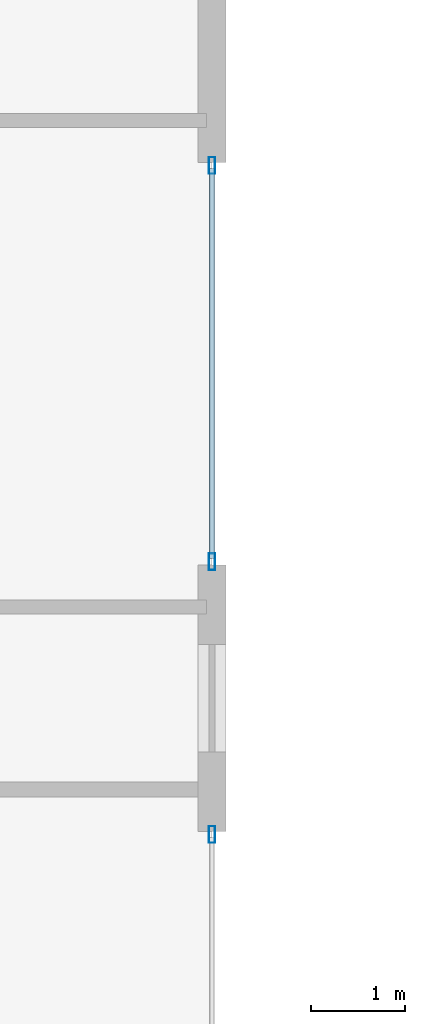
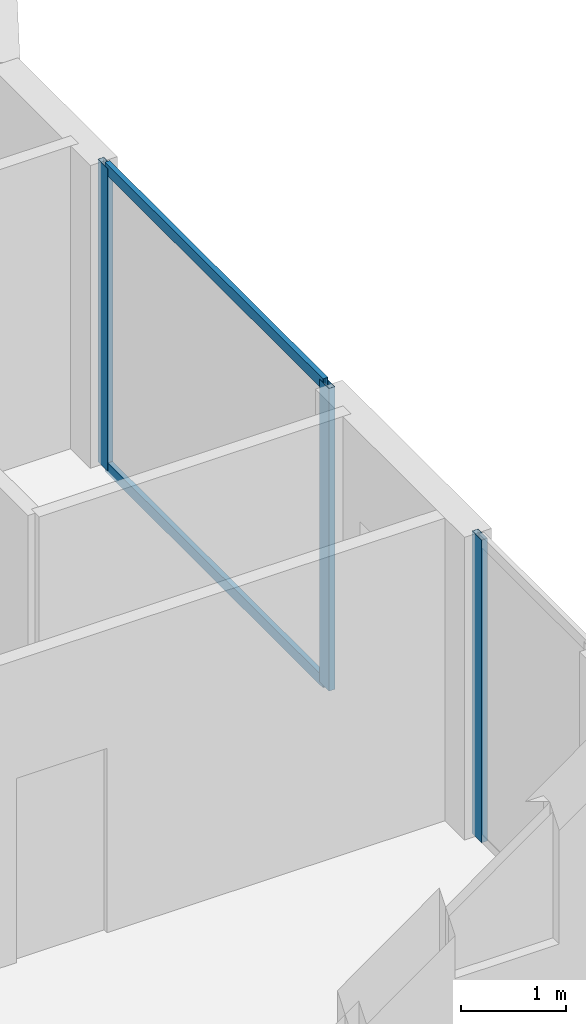
# One storey, part 13 of 33: 5 members, 2 elements without a shape of their own.
"""IFC4 building model written with IfcOpenShell, lengths in metres."""

import ifcopenshell
import ifcopenshell.guid

model = None  # the IFC model being written
_history = None  # IfcOwnerHistory: only IFC2X3 demands one
_inside = {}  # id of a spatial element -> (the spatial element, [elements in it])
_under = {}  # id of a project, library or spatial element -> (it, [spatial elements below it])
_declared = {}  # id of a project -> (the project, [libraries it declares])
_typed = {}  # id of a type object -> (the type object, [elements of that type])
_made_of = {}  # id of a material, layer set ... -> (it, [elements and type objects made of it])


def new_model(schema):
    """Start an empty IFC model of exactly this schema.

    Asked for "IFC4X3", IfcOpenShell would pick the latest addendum, in which some entities
    have other attributes; the version numbers below select the first issue.
    IFC2X3 requires an IfcOwnerHistory on every rooted entity: one is made here for all.
    """
    global model, _history
    if schema == "IFC4X3":
        model = ifcopenshell.file(schema_version=(4, 3, 0, 0))
    else:
        model = ifcopenshell.file(schema=schema)
    _inside.clear()
    _under.clear()
    _declared.clear()
    _typed.clear()
    _made_of.clear()
    _history = None
    if model.schema == "IFC2X3":
        org = make("IfcOrganization", Name="unknown")
        user = make(
            "IfcPersonAndOrganization",
            ThePerson=make("IfcPerson", FamilyName="unknown"),
            TheOrganization=org,
        )
        app = make(
            "IfcApplication",
            ApplicationDeveloper=org,
            Version="unknown",
            ApplicationFullName="unknown",
            ApplicationIdentifier="unknown",
        )
        _history = make(
            "IfcOwnerHistory",
            OwningUser=user,
            OwningApplication=app,
            ChangeAction="ADDED",
            CreationDate=0,
        )
    return model


def make(cls, **values):
    """One entity of the class cls with the attributes given. An attribute that is None is left unset."""
    return model.create_entity(
        cls, **{name: value for name, value in values.items() if value is not None}
    )


def rooted(cls, **values):
    """An entity with a GlobalId (a new one), such as an element, a storey or a relation."""
    return make(cls, GlobalId=ifcopenshell.guid.new(), OwnerHistory=_history, **values)


def si_unit(unit_type, name, prefix=None):
    """IfcSIUnit, for example si_unit("LENGTHUNIT", "METRE", prefix="MILLI")."""
    return make("IfcSIUnit", UnitType=unit_type, Prefix=prefix, Name=name)


def assignment(units):
    """IfcUnitAssignment: the units of a project."""
    return None if units is None else make("IfcUnitAssignment", Units=units)


def point(xyz):
    """IfcCartesianPoint."""
    return None if xyz is None else make("IfcCartesianPoint", Coordinates=xyz)


def direction(xyz):
    """IfcDirection."""
    return None if xyz is None else make("IfcDirection", DirectionRatios=xyz)


def frame(location, z_axis=None, x_axis=None):
    """IfcAxis2Placement3D, a coordinate frame: its origin and axes. An axis left out is left unset."""
    return make(
        "IfcAxis2Placement3D",
        Location=point(location),
        Axis=direction(z_axis),
        RefDirection=direction(x_axis),
    )


def frame_2d(location, x_axis=None):
    """IfcAxis2Placement2D, a coordinate frame in the plane: its origin and x axis."""
    return make(
        "IfcAxis2Placement2D", Location=point(location), RefDirection=direction(x_axis)
    )


def origin():
    """The frame at (0, 0, 0) with its axes left unset."""
    return frame((0.0, 0.0, 0.0))


def origin_2d():
    """The frame at (0, 0) in the plane with its x axis left unset."""
    return frame_2d((0.0, 0.0))


def place(relative_to, where):
    """IfcLocalPlacement: puts the frame where relative to a parent placement (None: the world)."""
    return make(
        "IfcLocalPlacement", PlacementRelTo=relative_to, RelativePlacement=where
    )


def context(
    kind, dimensions, precision=None, world=None, true_north=None, identifier=None
):
    """IfcGeometricRepresentationContext, for example the 3D "Model" context."""
    return make(
        "IfcGeometricRepresentationContext",
        ContextIdentifier=identifier,
        ContextType=kind,
        CoordinateSpaceDimension=dimensions,
        Precision=precision,
        WorldCoordinateSystem=world,
        TrueNorth=true_north,
    )


def subcontext(parent, identifier, kind, view, scale=None):
    """IfcGeometricRepresentationSubContext, for example "Body" below "Model"."""
    return make(
        "IfcGeometricRepresentationSubContext",
        ContextIdentifier=identifier,
        ContextType=kind,
        ParentContext=parent,
        TargetScale=scale,
        TargetView=view,
    )


def project(units=None, contexts=None):
    """IfcProject with its units and contexts."""
    return rooted(
        "IfcProject",
        Name="project",
        RepresentationContexts=contexts,
        UnitsInContext=assignment(units),
    )


def spatial(cls, under=None, at=None, **own):
    """A site, building, storey or space (cls), placed at a placement, below another one or the project."""
    s = rooted(cls, ObjectPlacement=at, **own)
    if under is not None:
        _under.setdefault(under.id(), (under, []))[1].append(s)
    return s


def profile(cls, at=None, kind="AREA", **sizes):
    """A parametric profile (cls). Its sizes go by their IFC names, for example OverallWidth=200.0."""
    return make(cls, ProfileType=kind, Position=at, **sizes)


def hollow_rectangle(**sizes):
    """IfcRectangleHollowProfileDef."""
    return profile("IfcRectangleHollowProfileDef", **sizes)


def extrude(swept, where, along, depth):
    """IfcExtrudedAreaSolid: the profile swept, set in the frame where, extruded along a direction by depth."""
    return make(
        "IfcExtrudedAreaSolid",
        SweptArea=swept,
        Position=where,
        ExtrudedDirection=direction(along),
        Depth=depth,
    )


def shape(context_of_items, identifier, shape_type, items):
    """IfcShapeRepresentation: the items that make up one representation, for example the "Body"."""
    return make(
        "IfcShapeRepresentation",
        ContextOfItems=context_of_items,
        RepresentationIdentifier=identifier,
        RepresentationType=shape_type,
        Items=items,
    )


def material(Name=None, Category=None):
    """IfcMaterial."""
    return make("IfcMaterial", Name=Name, Category=Category)


def layer(
    of_material, thickness, ventilated=None, Name=None, Category=None, Priority=None
):
    """IfcMaterialLayer: one layer of a wall or slab, of a material (None: an air gap)."""
    return make(
        "IfcMaterialLayer",
        Material=of_material,
        LayerThickness=thickness,
        IsVentilated=ventilated,
        Name=Name,
        Category=Category,
        Priority=Priority,
    )


def layer_set(layers, Name=None):
    """IfcMaterialLayerSet."""
    return make("IfcMaterialLayerSet", MaterialLayers=layers, LayerSetName=Name)


def material_profile(
    of_material, cross_section, Name=None, Category=None, Priority=None
):
    """IfcMaterialProfile: a cross section and its material."""
    return make(
        "IfcMaterialProfile",
        Name=Name,
        Material=of_material,
        Profile=cross_section,
        Priority=Priority,
        Category=Category,
    )


def profile_set(profiles, Name=None, composite=None):
    """IfcMaterialProfileSet."""
    return make(
        "IfcMaterialProfileSet",
        Name=Name,
        MaterialProfiles=profiles,
        CompositeProfile=composite,
    )


def made_of(thing, what):
    """Note that an element or type object is made of a material, layer set ...; save() writes the relation."""
    if what is not None:
        _made_of.setdefault(what.id(), (what, []))[1].append(thing)
    return thing


def type_object(cls, material=None, **own):
    """A type object (cls), such as IfcWallType, which elements share."""
    return made_of(rooted(cls, **own), material)


def element(
    cls,
    number,
    at=None,
    inside=None,
    cuts=None,
    type_object=None,
    material=None,
    context=None,
    identifier="Body",
    shape_type=None,
    held_by="IfcProductDefinitionShape",
    body=None,
    shapes=None,
    **own,
):
    """One element of the class cls, such as IfcWall. Its Tag is "e" and its number.

    at: its placement. inside: the storey or other place that contains it. cuts: it is an
    opening in that element (IfcRelVoidsElement). A single representation is given by context,
    identifier, shape_type and body (its items); several are given by shapes. held_by: the class
    of the entity that holds the representations. save() writes the other relations.
    """
    e = rooted(cls, Tag="e%d" % number, ObjectPlacement=at, **own)
    if body is not None:
        shapes = [shape(context, identifier, shape_type, body)]
    if shapes is not None:
        e.Representation = make(held_by, Representations=shapes)
    if inside is not None:
        _inside.setdefault(inside.id(), (inside, []))[1].append(e)
    if cuts is not None:
        rooted(
            "IfcRelVoidsElement", RelatingBuildingElement=cuts, RelatedOpeningElement=e
        )
    if type_object is not None:
        _typed.setdefault(type_object.id(), (type_object, []))[1].append(e)
    return made_of(e, material)


def aggregate(whole, parts):
    """IfcRelAggregates: a whole, such as a stair, and the parts it consists of."""
    return rooted("IfcRelAggregates", RelatingObject=whole, RelatedObjects=parts)


def save(model, path):
    """Write the relations noted so far, then the file.

    IfcRelAggregates (storeys below a building ...), IfcRelContainedInSpatialStructure (elements
    in a storey), IfcRelDefinesByType, IfcRelAssociatesMaterial and IfcRelDeclares: one each for
    every whole, place, type object, material and project.
    """
    for whole, parts in _under.values():
        aggregate(whole, parts)
    for where, things in _inside.values():
        rooted(
            "IfcRelContainedInSpatialStructure",
            RelatedElements=things,
            RelatingStructure=where,
        )
    for kind, things in _typed.values():
        rooted("IfcRelDefinesByType", RelatedObjects=things, RelatingType=kind)
    for what, things in _made_of.values():
        rooted("IfcRelAssociatesMaterial", RelatedObjects=things, RelatingMaterial=what)
    for by, libraries in _declared.values():
        rooted("IfcRelDeclares", RelatingContext=by, RelatedDefinitions=libraries)
    model.write(path)


model = new_model("IFC4")

# Units and contexts
model_context = context("Model", 3, precision=1e-05, world=origin(), true_north=direction((0.0, 1.0)))
body_context = subcontext(model_context, "Body", "Model", "MODEL_VIEW")
ifc_project = project(units=[si_unit("LENGTHUNIT", "METRE"), si_unit("AREAUNIT", "SQUARE_METRE"), si_unit("VOLUMEUNIT", "CUBIC_METRE"), si_unit("PLANEANGLEUNIT", "RADIAN"), si_unit("MASSUNIT", "GRAM", prefix="KILO")], contexts=[model_context])

# Site, building, storey
site_placement = place(None, origin())
site = spatial("IfcSite", under=ifc_project, at=site_placement, CompositionType="ELEMENT")
building_placement = place(site_placement, origin())
building = spatial("IfcBuilding", under=site, at=building_placement, Name="Zuhayl Quay Hotel", CompositionType="ELEMENT")
storey_placement = place(building_placement, frame((0.0, 0.0, 214.89990234375)))
storey = spatial("IfcBuildingStorey", under=building, at=storey_placement, Name="L54", CompositionType="ELEMENT", Elevation=214.89990234375)

# Curtain wall, members
ifc_material_1 = material(Name="Anodised Aluminium 6063-T6", Category="aluminium")
ifc_layer = layer(ifc_material_1, 0.175048828125, Name="Anodised Aluminium 6063-T6", Category="aluminium")
ifc_layer_set = layer_set([ifc_layer], Name="Anodised Aluminium 6063-T6")
curtain_wall_type = type_object("IfcCurtainWallType", Name="CW_SYS_Z3", PredefinedType="USERDEFINED", material=ifc_layer_set)
curtain_wall_1_placement = place(storey_placement, origin())
curtain_wall_1 = element("IfcCurtainWall", 1, at=curtain_wall_1_placement, inside=storey, type_object=curtain_wall_type, Name="L54 Curtain Wall ENV_L54_E14_CW1", ObjectType="UNITISED CURTAIN WALL", PredefinedType="USERDEFINED")
ifc_material_2 = material(Name="Black-anodised aluminium 6063-T6", Category="aluminium")
ifc_material_profile_1 = material_profile(ifc_material_2, hollow_rectangle(XDim=0.06494140625, YDim=0.179931640625, WallThickness=0.00341796875, at=origin_2d()), Name="ALU180X65")
ifc_profile_set_1 = profile_set([ifc_material_profile_1], Name="Black-anodised aluminium 6063-T6")
member_type_1 = type_object("IfcMemberType", Name="MB_CW_MUL_180", PredefinedType="MULLION", material=ifc_profile_set_1)
member_1_placement = place(storey_placement, frame((22.10009765625, 6.267578125, 0.0), z_axis=(0.0, 0.0, 1.0), x_axis=(1.0, 0.0, 0.0)))
member_1 = element("IfcMember", 2, at=member_1_placement, type_object=member_type_1, Name="CW-Z3 mullion 1", PredefinedType="MULLION", context=body_context, shape_type="SweptSolid", body=[
    extrude(hollow_rectangle(XDim=0.06494140625, YDim=0.179931640625, WallThickness=0.00341796875, at=origin_2d()), origin(), (0.0, 0.0, 1.0), 3.530029296875),
])
member_2_placement = place(storey_placement, frame((22.10009765625, 2.032470703125, 0.0), z_axis=(0.0, 0.0, 1.0), x_axis=(1.0, 0.0, 0.0)))
member_2 = element("IfcMember", 3, at=member_2_placement, type_object=member_type_1, Name="CW-Z3 mullion 2", PredefinedType="MULLION", context=body_context, shape_type="SweptSolid", body=[
    extrude(hollow_rectangle(XDim=0.06494140625, YDim=0.179931640625, WallThickness=0.00341796875, at=origin_2d()), origin(), (0.0, 0.0, 1.0), 3.530029296875),
])

# Curtain wall, member
curtain_wall_2_placement = place(storey_placement, origin())
curtain_wall_2 = element("IfcCurtainWall", 4, at=curtain_wall_2_placement, inside=storey, type_object=curtain_wall_type, Name="L54 Curtain Wall ENV_L54_E14_CW2", ObjectType="UNITISED CURTAIN WALL", PredefinedType="USERDEFINED")
member_3_placement = place(storey_placement, frame((22.10009765625, -0.882568359375, 0.0), z_axis=(0.0, 0.0, 1.0), x_axis=(1.0, 0.0, 0.0)))
member_3 = element("IfcMember", 5, at=member_3_placement, type_object=member_type_1, Name="CW-Z3 mullion 1", PredefinedType="MULLION", context=body_context, shape_type="SweptSolid", body=[
    extrude(hollow_rectangle(XDim=0.06494140625, YDim=0.179931640625, WallThickness=0.00341796875, at=origin_2d()), origin(), (0.0, 0.0, 1.0), 3.530029296875),
])
aggregate(curtain_wall_2, [member_3])

# Member
ifc_material_profile_2 = material_profile(ifc_material_2, hollow_rectangle(XDim=0.054931640625, YDim=0.1298828125, WallThickness=0.0029296875, at=origin_2d()), Name="ALU130X55")
ifc_profile_set_2 = profile_set([ifc_material_profile_2], Name="Black-anodised aluminium 6063-T6")
member_type_2 = type_object("IfcMemberType", Name="MB_CW_TRN_130", PredefinedType="USERDEFINED", material=ifc_profile_set_2)
member_4_placement = place(storey_placement, frame((22.10009765625, 6.235107421875, 0.027587890625), z_axis=(0.0, -1.0, 0.0), x_axis=(1.0, 0.0, 0.0)))
member_4 = element("IfcMember", 6, at=member_4_placement, type_object=member_type_2, Name="CW-Z3 transom 1.1", ObjectType="TRANSOM", PredefinedType="USERDEFINED", context=body_context, shape_type="SweptSolid", body=[
    extrude(hollow_rectangle(XDim=0.054931640625, YDim=0.1298828125, WallThickness=0.0029296875, at=origin_2d()), origin(), (0.0, 0.0, 1.0), 4.170166015625),
])

member_5_placement = place(storey_placement, frame((22.10009765625, 6.235107421875, 3.502685546875), z_axis=(0.0, -1.0, 0.0), x_axis=(1.0, 0.0, 0.0)))
member_5 = element("IfcMember", 7, at=member_5_placement, type_object=member_type_2, Name="CW-Z3 transom 1.2", ObjectType="TRANSOM", PredefinedType="USERDEFINED", context=body_context, shape_type="SweptSolid", body=[
    extrude(hollow_rectangle(XDim=0.054931640625, YDim=0.1298828125, WallThickness=0.0029296875, at=origin_2d()), origin(), (0.0, 0.0, 1.0), 4.170166015625),
])

aggregate(curtain_wall_1, [member_1, member_2, member_4, member_5])

save(model, "model.ifc")
